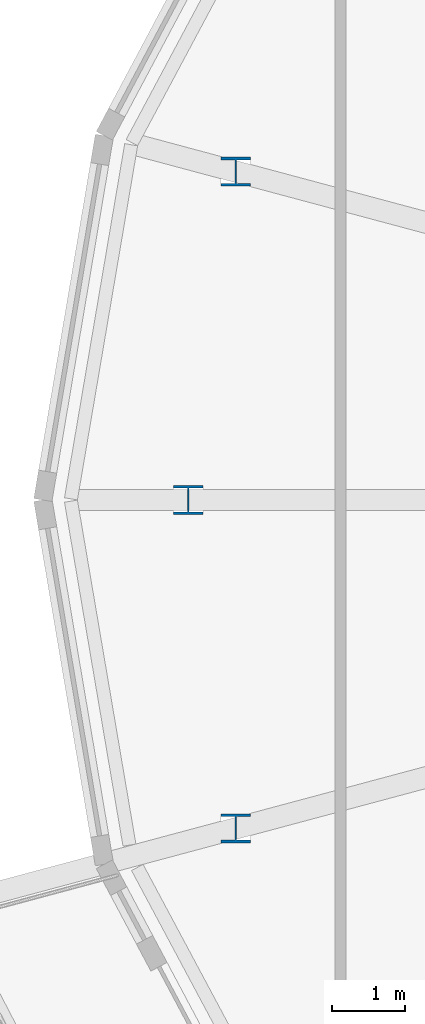
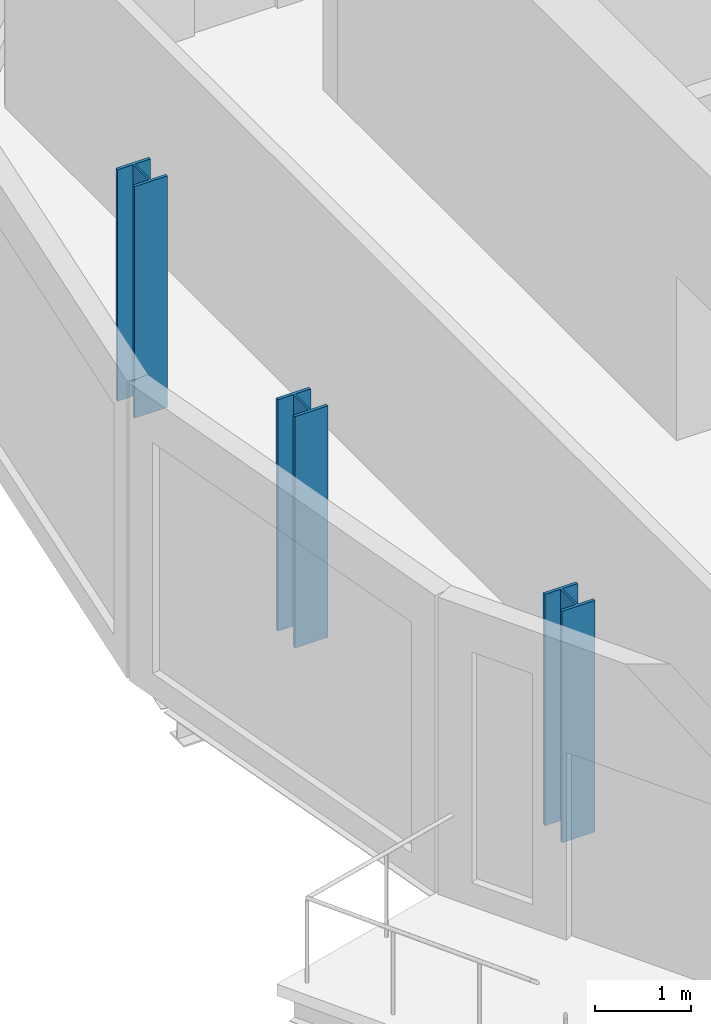
# One storey, part 1 of 35: 3 columns.
"""IFC4 building model written with IfcOpenShell, lengths in metres."""

from ifc_helpers import new_model, si_unit, direction, frame, origin, origin_2d, place, context, subcontext, project, spatial, i_section, extrude, material, material_profile, profile_set, type_object, element, save


model = new_model("IFC4")

# Units and contexts
model_context = context("Model", 3, precision=1e-05, world=origin(), true_north=direction((0.0, 1.0)))
body_context = subcontext(model_context, "Body", "Model", "MODEL_VIEW")
ifc_project = project(units=[si_unit("LENGTHUNIT", "METRE"), si_unit("AREAUNIT", "SQUARE_METRE"), si_unit("VOLUMEUNIT", "CUBIC_METRE"), si_unit("PLANEANGLEUNIT", "RADIAN"), si_unit("MASSUNIT", "GRAM", prefix="KILO")], contexts=[model_context])

# Site, building, storey
site_placement = place(None, origin())
site = spatial("IfcSite", under=ifc_project, at=site_placement, CompositionType="ELEMENT")
building_placement = place(site_placement, origin())
building = spatial("IfcBuilding", under=site, at=building_placement, Name="Rimbun Link Towers", CompositionType="ELEMENT")
storey_placement = place(building_placement, frame((0.0, 0.0, 181.699951171875)))
storey = spatial("IfcBuildingStorey", under=building, at=storey_placement, Name="L44", CompositionType="ELEMENT", Elevation=181.699951171875)

# Columns
ifc_material = material(Name="Steel S355J2", Category="steel")
ifc_material_profile = material_profile(ifc_material, i_section(OverallWidth=0.39892578125, OverallDepth=0.3935546875, WebThickness=0.022705078125, FlangeThickness=0.03662109375, at=origin_2d()), Name="UC 356x406x287")
ifc_profile_set = profile_set([ifc_material_profile], Name="Steel S355J2")
column_type = type_object("IfcColumnType", Name="UC 356x406x287", PredefinedType="COLUMN", material=ifc_profile_set)
for number, where, z_axis, x_axis, name in (
    (1, (-48.4501953125, 4.474853515625, -0.14990234375), (0.0, 0.0, 1.0), (1.0, 0.0, 0.0), "Crease post T1 L44 11"),
    (2, (-49.09619140625, 0.0, -0.14990234375), (0.0, 0.0, 1.0), (1.0, 0.0, 0.0), "Crease post T1 L44 12"),
    (3, (-48.4501953125, -4.474853515625, -0.14990234375), (0.0, 0.0, 1.0), (1.0, 0.0, 0.0), "Crease post T1 L44 13"),
):
    element("IfcColumn", number, at=place(storey_placement, frame(where, z_axis=z_axis, x_axis=x_axis)), inside=storey, type_object=column_type, Name=name, PredefinedType="COLUMN", context=body_context, shape_type="SweptSolid", body=[
        extrude(i_section(OverallWidth=0.39892578125, OverallDepth=0.3935546875, WebThickness=0.022705078125, FlangeThickness=0.03662109375, at=origin_2d()), origin(), (0.0, 0.0, 1.0), 2.959228515625),
    ])

save(model, "model.ifc")
